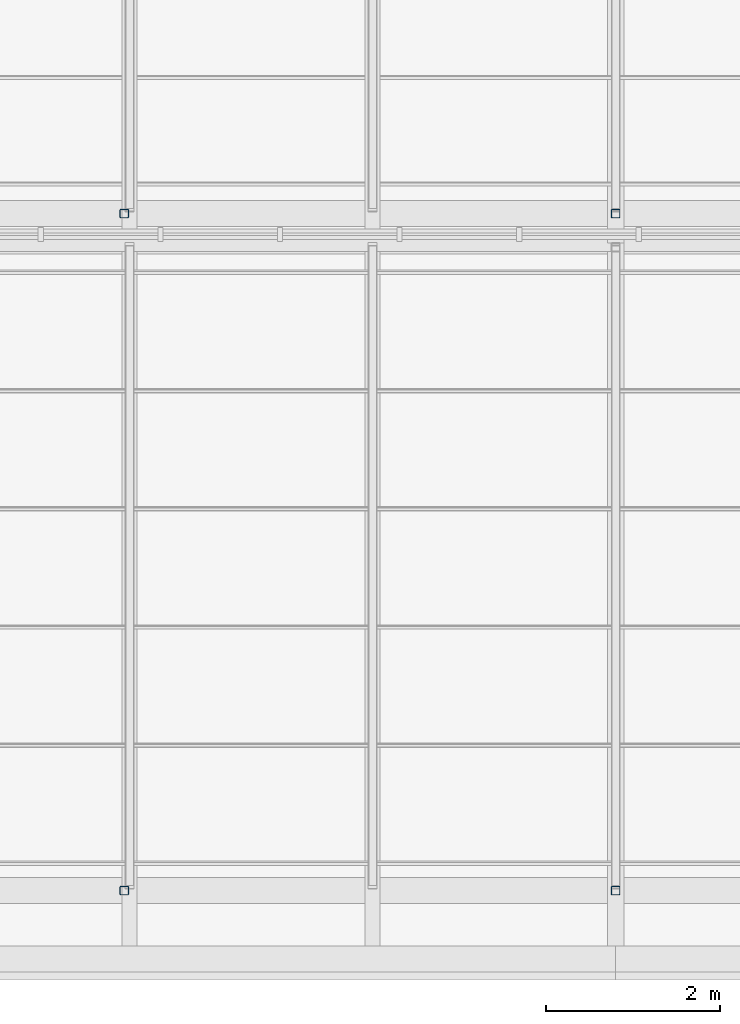
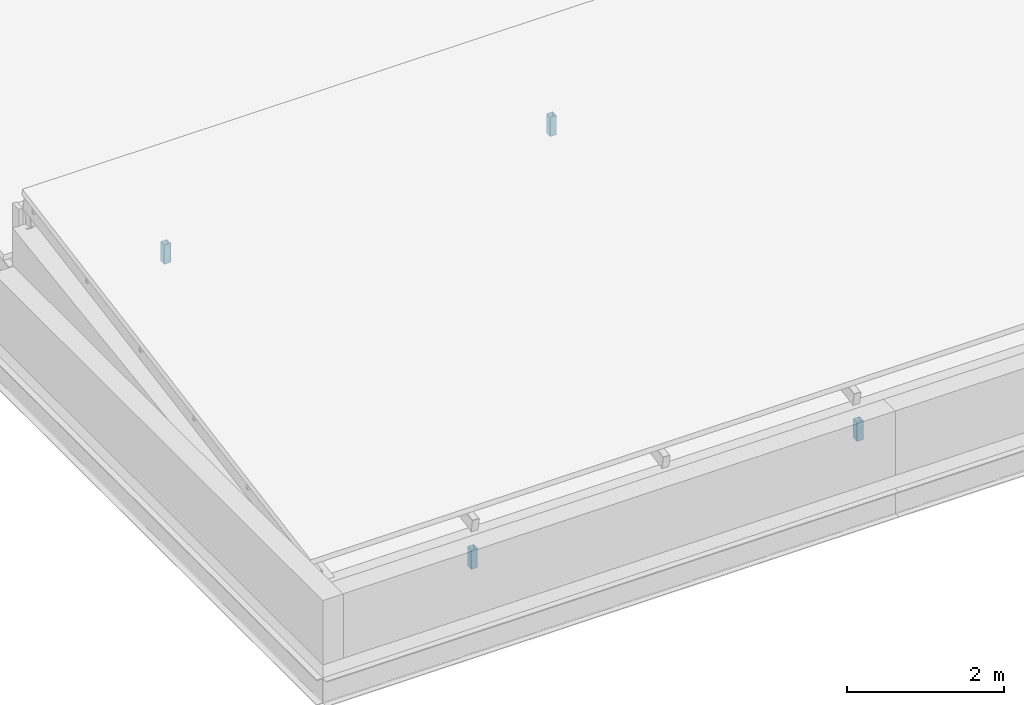
# One storey, part 17 of 33: 4 members.
"""IFC4 building model written with IfcOpenShell, lengths in metres."""

from ifc_helpers import new_model, si_unit, direction, frame, origin, origin_2d, place, context, subcontext, project, spatial, hollow_rectangle, extrude, material, material_profile, profile_set, type_object, element, save


model = new_model("IFC4")

# Units and contexts
model_context = context("Model", 3, precision=1e-05, world=origin(), true_north=direction((0.0, 1.0)))
body_context = subcontext(model_context, "Body", "Model", "MODEL_VIEW")
ifc_project = project(units=[si_unit("LENGTHUNIT", "METRE"), si_unit("AREAUNIT", "SQUARE_METRE"), si_unit("VOLUMEUNIT", "CUBIC_METRE"), si_unit("PLANEANGLEUNIT", "RADIAN"), si_unit("MASSUNIT", "GRAM", prefix="KILO")], contexts=[model_context])

# Site, building, storey
site_placement = place(None, origin())
site = spatial("IfcSite", under=ifc_project, at=site_placement, CompositionType="ELEMENT")
building_placement = place(site_placement, origin())
building = spatial("IfcBuilding", under=site, at=building_placement, Name="Ardhachandra Cancer Care Centre", CompositionType="ELEMENT")
storey_placement = place(building_placement, frame((0.0, 0.0, 27.0)))
storey = spatial("IfcBuildingStorey", under=building, at=storey_placement, Name="Roof", CompositionType="ELEMENT", Elevation=27.0)

# Members
ifc_material = material(Name="Steel E350 (IS 2062)", Category="steel")
ifc_material_profile = material_profile(ifc_material, hollow_rectangle(XDim=0.10009765625, YDim=0.10009765625, WallThickness=0.0048828125, InnerFilletRadius=0.0048828125, OuterFilletRadius=0.010009765625, at=origin_2d()), Name="SHS 100x100x5.0")
ifc_profile_set = profile_set([ifc_material_profile], Name="Steel E350 (IS 2062)")
member_type = type_object("IfcMemberType", Name="Sawtooth ridge post SHS 100x100x5.0", PredefinedType="POST", material=ifc_profile_set)
for number, where, z_axis, x_axis, name in (
    (1, (114.340087890625, 80.739990234375, 0.0), (0.0, 0.0, 1.0), (1.0, 0.0, 0.0), "Gutter cradle ST1a.1"),
    (2, (120.0, 80.739990234375, 0.0), (0.0, 0.0, 1.0), (1.0, 0.0, 0.0), "Gutter cradle ST1a.2"),
    (3, (114.340087890625, 88.5400390625, 0.0), (0.0, 0.0, 1.0), (1.0, 0.0, 0.0), "Gutter cradle ST2a.1"),
    (4, (120.0, 88.5400390625, 0.0), (0.0, 0.0, 1.0), (1.0, 0.0, 0.0), "Gutter cradle ST2a.2"),
):
    element("IfcMember", number, at=place(storey_placement, frame(where, z_axis=z_axis, x_axis=x_axis)), inside=storey, type_object=member_type, Name=name, PredefinedType="POST", context=body_context, shape_type="SweptSolid", body=[
        extrude(hollow_rectangle(XDim=0.10009765625, YDim=0.10009765625, WallThickness=0.0048828125, InnerFilletRadius=0.0048828125, OuterFilletRadius=0.010009765625, at=origin_2d()), origin(), (0.0, 0.0, 1.0), 0.300048828125),
    ])

save(model, "model.ifc")
